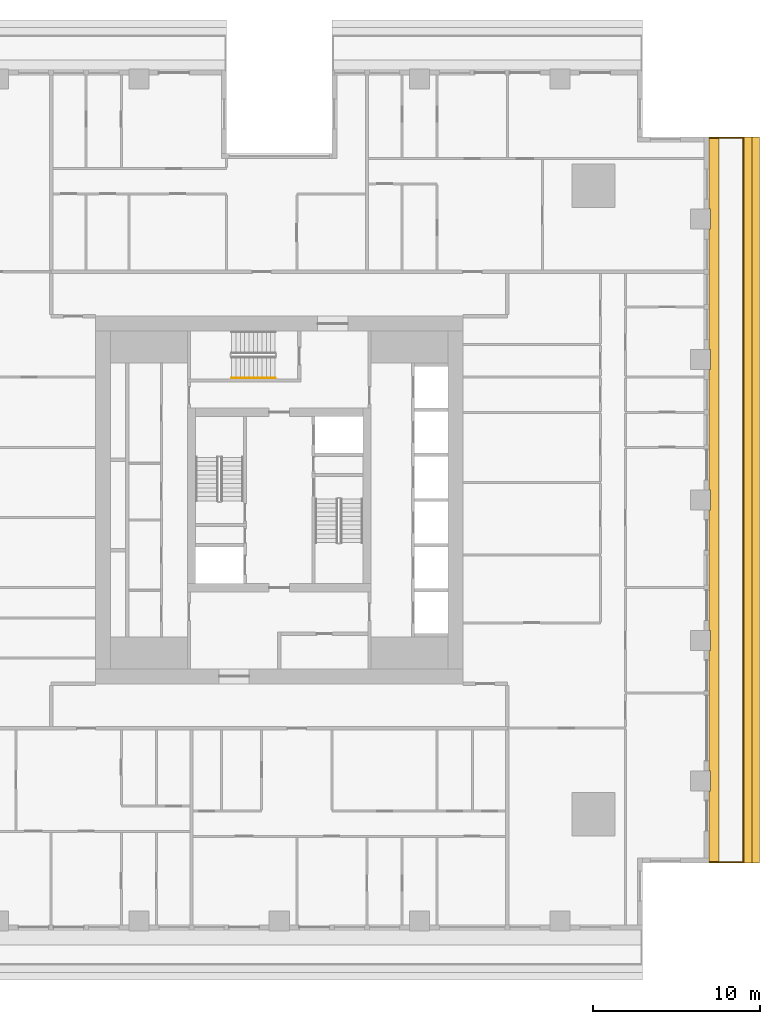
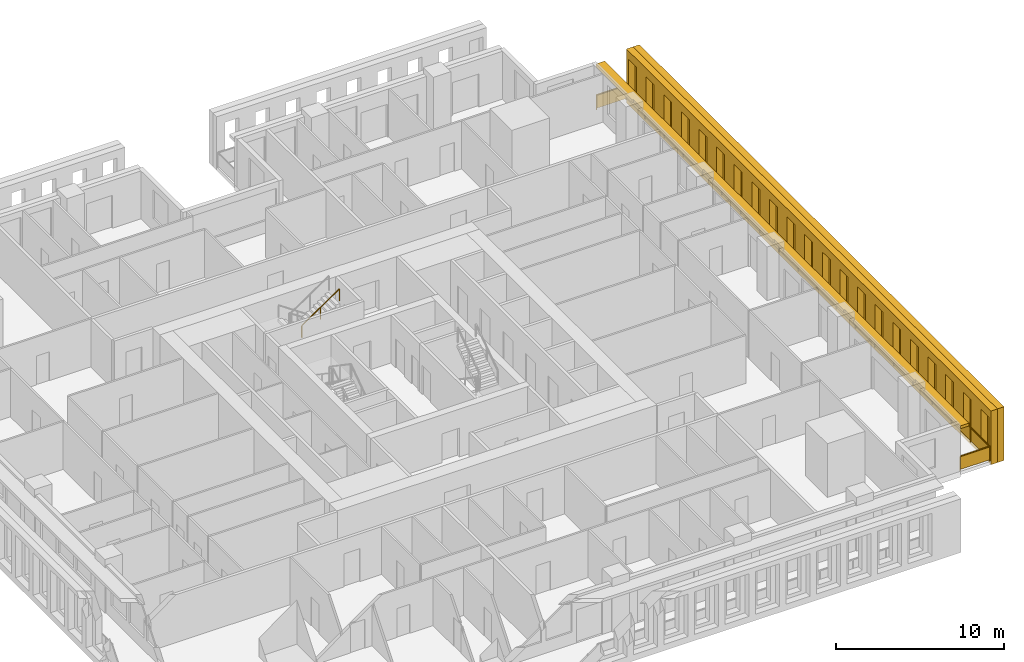
# One storey, part 14 of 16: 3 shading devices, 2 railings.
"""IFC4 building model written with IfcOpenShell, lengths in metres."""

from ifc_helpers import new_model, si_unit, direction, frame, origin, origin_2d, place, context, subcontext, project, spatial, polyline, rectangle, outline, extrude, material, layer, layer_set, type_object, element, save


model = new_model("IFC4")

# Units and contexts
model_context = context("Model", 3, precision=1e-05, world=origin(), true_north=direction((0.0, 1.0)))
body_context = subcontext(model_context, "Body", "Model", "MODEL_VIEW")
ifc_project = project(units=[si_unit("LENGTHUNIT", "METRE"), si_unit("AREAUNIT", "SQUARE_METRE"), si_unit("VOLUMEUNIT", "CUBIC_METRE"), si_unit("PLANEANGLEUNIT", "RADIAN"), si_unit("MASSUNIT", "GRAM", prefix="KILO")], contexts=[model_context])

# Site, building, storey
site_placement = place(None, origin())
site = spatial("IfcSite", under=ifc_project, at=site_placement, CompositionType="ELEMENT")
building_placement = place(site_placement, origin())
building = spatial("IfcBuilding", under=site, at=building_placement, Name="Khepri Terraces", CompositionType="ELEMENT")
storey_placement = place(building_placement, frame((0.0, 0.0, 137.699951171875)))
storey = spatial("IfcBuildingStorey", under=building, at=storey_placement, Name="L32", CompositionType="ELEMENT", Elevation=137.699951171875)

# Railings
ifc_material_1 = material(Name="Stainless steel grade 316", Category="steel")
railing_type_1 = type_object("IfcRailingType", Name="GRD-BAL-1100", PredefinedType="GUARDRAIL", material=ifc_material_1)
railing_1_placement = place(storey_placement, frame((25.719970703125, -21.669921875, 0.0)))
element("IfcRailing", 1, at=railing_1_placement, inside=storey, type_object=railing_type_1, Name="Balcony guard L32 E", PredefinedType="GUARDRAIL", context=body_context, shape_type="SweptSolid", body=[
    extrude(rectangle(XDim=0.050048828125, YDim=0.06005859375, at=origin_2d()), frame((0.0, 0.0, 1.070068359375), z_axis=(1.0, 0.0, 0.0), x_axis=(0.0, 1.0, 0.0)), (0.0, 0.0, 1.0), 2.050048828125),
    extrude(rectangle(XDim=2.0, YDim=0.011962890625, at=origin_2d()), frame((1.02490234375, 0.0, 0.10009765625), z_axis=(0.0, 0.0, 1.0), x_axis=(1.0, 0.0, 0.0)), (0.0, 0.0, 1.0), 0.93994140625),
    extrude(rectangle(XDim=0.050048828125, YDim=0.06005859375, at=origin_2d()), frame((2.050048828125, 0.0, 1.070068359375), z_axis=(0.0, 1.0, 0.0), x_axis=(-1.0, 0.0, 0.0)), (0.0, 0.0, 1.0), 43.33984375),
    extrude(rectangle(XDim=2.23095703125, YDim=0.011962890625, at=origin_2d()), frame((2.050048828125, 1.140625, 0.10009765625), z_axis=(0.0, 0.0, 1.0), x_axis=(0.0, 1.0, 0.0)), (0.0, 0.0, 1.0), 0.93994140625),
    extrude(rectangle(XDim=2.23095703125, YDim=0.011962890625, at=origin_2d()), frame((2.050048828125, 3.421630859375, 0.10009765625), z_axis=(0.0, 0.0, 1.0), x_axis=(0.0, 1.0, 0.0)), (0.0, 0.0, 1.0), 0.93994140625),
    extrude(rectangle(XDim=2.23095703125, YDim=0.011962890625, at=origin_2d()), frame((2.050048828125, 5.70263671875, 0.10009765625), z_axis=(0.0, 0.0, 1.0), x_axis=(0.0, 1.0, 0.0)), (0.0, 0.0, 1.0), 0.93994140625),
    extrude(rectangle(XDim=2.23095703125, YDim=0.011962890625, at=origin_2d()), frame((2.050048828125, 7.983642578125, 0.10009765625), z_axis=(0.0, 0.0, 1.0), x_axis=(0.0, 1.0, 0.0)), (0.0, 0.0, 1.0), 0.93994140625),
    extrude(rectangle(XDim=2.23095703125, YDim=0.011962890625, at=origin_2d()), frame((2.050048828125, 10.2646484375, 0.10009765625), z_axis=(0.0, 0.0, 1.0), x_axis=(0.0, 1.0, 0.0)), (0.0, 0.0, 1.0), 0.93994140625),
    extrude(rectangle(XDim=2.23095703125, YDim=0.011962890625, at=origin_2d()), frame((2.050048828125, 12.545654296875, 0.10009765625), z_axis=(0.0, 0.0, 1.0), x_axis=(0.0, 1.0, 0.0)), (0.0, 0.0, 1.0), 0.93994140625),
    extrude(rectangle(XDim=2.23095703125, YDim=0.011962890625, at=origin_2d()), frame((2.050048828125, 14.826904296875, 0.10009765625), z_axis=(0.0, 0.0, 1.0), x_axis=(0.0, 1.0, 0.0)), (0.0, 0.0, 1.0), 0.93994140625),
    extrude(rectangle(XDim=2.23095703125, YDim=0.011962890625, at=origin_2d()), frame((2.050048828125, 17.10791015625, 0.10009765625), z_axis=(0.0, 0.0, 1.0), x_axis=(0.0, 1.0, 0.0)), (0.0, 0.0, 1.0), 0.93994140625),
    extrude(rectangle(XDim=2.23095703125, YDim=0.011962890625, at=origin_2d()), frame((2.050048828125, 19.388916015625, 0.10009765625), z_axis=(0.0, 0.0, 1.0), x_axis=(0.0, 1.0, 0.0)), (0.0, 0.0, 1.0), 0.93994140625),
    extrude(rectangle(XDim=2.23095703125, YDim=0.011962890625, at=origin_2d()), frame((2.050048828125, 21.669921875, 0.10009765625), z_axis=(0.0, 0.0, 1.0), x_axis=(0.0, 1.0, 0.0)), (0.0, 0.0, 1.0), 0.93994140625),
    extrude(rectangle(XDim=2.23095703125, YDim=0.011962890625, at=origin_2d()), frame((2.050048828125, 23.950927734375, 0.10009765625), z_axis=(0.0, 0.0, 1.0), x_axis=(0.0, 1.0, 0.0)), (0.0, 0.0, 1.0), 0.93994140625),
    extrude(rectangle(XDim=2.23095703125, YDim=0.011962890625, at=origin_2d()), frame((2.050048828125, 26.23193359375, 0.10009765625), z_axis=(0.0, 0.0, 1.0), x_axis=(0.0, 1.0, 0.0)), (0.0, 0.0, 1.0), 0.93994140625),
    extrude(rectangle(XDim=2.23095703125, YDim=0.011962890625, at=origin_2d()), frame((2.050048828125, 28.512939453125, 0.10009765625), z_axis=(0.0, 0.0, 1.0), x_axis=(0.0, 1.0, 0.0)), (0.0, 0.0, 1.0), 0.93994140625),
    extrude(rectangle(XDim=2.23095703125, YDim=0.011962890625, at=origin_2d()), frame((2.050048828125, 30.794189453125, 0.10009765625), z_axis=(0.0, 0.0, 1.0), x_axis=(0.0, 1.0, 0.0)), (0.0, 0.0, 1.0), 0.93994140625),
    extrude(rectangle(XDim=2.23095703125, YDim=0.011962890625, at=origin_2d()), frame((2.050048828125, 33.0751953125, 0.10009765625), z_axis=(0.0, 0.0, 1.0), x_axis=(0.0, 1.0, 0.0)), (0.0, 0.0, 1.0), 0.93994140625),
    extrude(rectangle(XDim=2.23095703125, YDim=0.011962890625, at=origin_2d()), frame((2.050048828125, 35.356201171875, 0.10009765625), z_axis=(0.0, 0.0, 1.0), x_axis=(0.0, 1.0, 0.0)), (0.0, 0.0, 1.0), 0.93994140625),
    extrude(rectangle(XDim=2.23095703125, YDim=0.011962890625, at=origin_2d()), frame((2.050048828125, 37.63720703125, 0.10009765625), z_axis=(0.0, 0.0, 1.0), x_axis=(0.0, 1.0, 0.0)), (0.0, 0.0, 1.0), 0.93994140625),
    extrude(rectangle(XDim=2.23095703125, YDim=0.011962890625, at=origin_2d()), frame((2.050048828125, 39.918212890625, 0.10009765625), z_axis=(0.0, 0.0, 1.0), x_axis=(0.0, 1.0, 0.0)), (0.0, 0.0, 1.0), 0.93994140625),
    extrude(rectangle(XDim=2.23095703125, YDim=0.011962890625, at=origin_2d()), frame((2.050048828125, 42.19921875, 0.10009765625), z_axis=(0.0, 0.0, 1.0), x_axis=(0.0, 1.0, 0.0)), (0.0, 0.0, 1.0), 0.93994140625),
    extrude(rectangle(XDim=0.050048828125, YDim=0.06005859375, at=origin_2d()), frame((2.050048828125, 43.33984375, 1.070068359375), z_axis=(-1.0, 0.0, 0.0), x_axis=(0.0, -1.0, 0.0)), (0.0, 0.0, 1.0), 2.050048828125),
    extrude(rectangle(XDim=2.0, YDim=0.011962890625, at=origin_2d()), frame((1.02490234375, 43.33984375, 0.10009765625), z_axis=(0.0, 0.0, 1.0), x_axis=(-1.0, 0.0, 0.0)), (0.0, 0.0, 1.0), 0.93994140625),
    extrude(rectangle(XDim=0.050048828125, YDim=0.050048828125, at=origin_2d()), origin(), (0.0, 0.0, 1.0), 1.0400390625),
    extrude(rectangle(XDim=0.050048828125, YDim=0.050048828125, at=origin_2d()), frame((2.050048828125, 0.0, 0.0)), (0.0, 0.0, 1.0), 1.0400390625),
    extrude(rectangle(XDim=0.050048828125, YDim=0.050048828125, at=origin_2d()), frame((2.050048828125, 2.281005859375, 0.0)), (0.0, 0.0, 1.0), 1.0400390625),
    extrude(rectangle(XDim=0.050048828125, YDim=0.050048828125, at=origin_2d()), frame((2.050048828125, 4.56201171875, 0.0)), (0.0, 0.0, 1.0), 1.0400390625),
    extrude(rectangle(XDim=0.050048828125, YDim=0.050048828125, at=origin_2d()), frame((2.050048828125, 6.843017578125, 0.0)), (0.0, 0.0, 1.0), 1.0400390625),
    extrude(rectangle(XDim=0.050048828125, YDim=0.050048828125, at=origin_2d()), frame((2.050048828125, 9.124267578125, 0.0)), (0.0, 0.0, 1.0), 1.0400390625),
    extrude(rectangle(XDim=0.050048828125, YDim=0.050048828125, at=origin_2d()), frame((2.050048828125, 11.4052734375, 0.0)), (0.0, 0.0, 1.0), 1.0400390625),
    extrude(rectangle(XDim=0.050048828125, YDim=0.050048828125, at=origin_2d()), frame((2.050048828125, 13.686279296875, 0.0)), (0.0, 0.0, 1.0), 1.0400390625),
    extrude(rectangle(XDim=0.050048828125, YDim=0.050048828125, at=origin_2d()), frame((2.050048828125, 15.96728515625, 0.0)), (0.0, 0.0, 1.0), 1.0400390625),
    extrude(rectangle(XDim=0.050048828125, YDim=0.050048828125, at=origin_2d()), frame((2.050048828125, 18.248291015625, 0.0)), (0.0, 0.0, 1.0), 1.0400390625),
    extrude(rectangle(XDim=0.050048828125, YDim=0.050048828125, at=origin_2d()), frame((2.050048828125, 20.529296875, 0.0)), (0.0, 0.0, 1.0), 1.0400390625),
    extrude(rectangle(XDim=0.050048828125, YDim=0.050048828125, at=origin_2d()), frame((2.050048828125, 22.810546875, 0.0)), (0.0, 0.0, 1.0), 1.0400390625),
    extrude(rectangle(XDim=0.050048828125, YDim=0.050048828125, at=origin_2d()), frame((2.050048828125, 25.091552734375, 0.0)), (0.0, 0.0, 1.0), 1.0400390625),
    extrude(rectangle(XDim=0.050048828125, YDim=0.050048828125, at=origin_2d()), frame((2.050048828125, 27.37255859375, 0.0)), (0.0, 0.0, 1.0), 1.0400390625),
    extrude(rectangle(XDim=0.050048828125, YDim=0.050048828125, at=origin_2d()), frame((2.050048828125, 29.653564453125, 0.0)), (0.0, 0.0, 1.0), 1.0400390625),
    extrude(rectangle(XDim=0.050048828125, YDim=0.050048828125, at=origin_2d()), frame((2.050048828125, 31.9345703125, 0.0)), (0.0, 0.0, 1.0), 1.0400390625),
    extrude(rectangle(XDim=0.050048828125, YDim=0.050048828125, at=origin_2d()), frame((2.050048828125, 34.215576171875, 0.0)), (0.0, 0.0, 1.0), 1.0400390625),
    extrude(rectangle(XDim=0.050048828125, YDim=0.050048828125, at=origin_2d()), frame((2.050048828125, 36.496826171875, 0.0)), (0.0, 0.0, 1.0), 1.0400390625),
    extrude(rectangle(XDim=0.050048828125, YDim=0.050048828125, at=origin_2d()), frame((2.050048828125, 38.77783203125, 0.0)), (0.0, 0.0, 1.0), 1.0400390625),
    extrude(rectangle(XDim=0.050048828125, YDim=0.050048828125, at=origin_2d()), frame((2.050048828125, 41.058837890625, 0.0)), (0.0, 0.0, 1.0), 1.0400390625),
    extrude(rectangle(XDim=0.050048828125, YDim=0.050048828125, at=origin_2d()), frame((2.050048828125, 43.33984375, 0.0)), (0.0, 0.0, 1.0), 1.0400390625),
    extrude(rectangle(XDim=0.050048828125, YDim=0.050048828125, at=origin_2d()), frame((0.0, 43.33984375, 0.0)), (0.0, 0.0, 1.0), 1.0400390625),
])
ifc_material_2 = material(Name="Stainless steel 316", Category="steel")
railing_type_2 = type_object("IfcRailingType", Name="RL-CORE-HANDRAIL", PredefinedType="HANDRAIL", material=ifc_material_2)
railing_2_placement = place(storey_placement, frame((-2.85009765625, 7.300048828125, 2.12744140625)))
element("IfcRailing", 2, at=railing_2_placement, inside=storey, type_object=railing_type_2, Name="L32 ST-3 stair handrail 2", PredefinedType="HANDRAIL", context=body_context, shape_type="SweptSolid", body=[
    extrude(rectangle(XDim=0.050048828125, YDim=0.050048828125, at=origin_2d()), frame((0.0, 0.0, 0.875), z_axis=(0.826240473404, 0.0, 0.563317565952), x_axis=(0.0, 1.0, 0.0)), (0.0, 0.0, 1.0), 3.14697265625),
    extrude(rectangle(XDim=0.050048828125, YDim=0.050048828125, at=origin_2d()), origin(), (0.0, 0.0, 1.0), 0.849853515625),
    extrude(rectangle(XDim=0.050048828125, YDim=0.050048828125, at=origin_2d()), frame((1.300048828125, 0.0, 0.88623046875)), (0.0, 0.0, 1.0), 0.849853515625),
    extrude(rectangle(XDim=0.050048828125, YDim=0.050048828125, at=origin_2d()), frame((2.60009765625, 0.0, 1.772705078125)), (0.0, 0.0, 1.0), 0.849853515625),
])

# Shading devices
ifc_material_3 = material(Name="Precast concrete C50/60 warm stone", Category="masonry")
shading_device_type_1 = type_object("IfcShadingDeviceType", Name="SCR-CELL-INNER-450", PredefinedType="USERDEFINED", material=ifc_material_3)
shading_device_1_placement = place(storey_placement, frame((27.820068359375, -21.719970703125, -0.25), z_axis=(1.0, 0.0, 0.0), x_axis=(0.0, 1.0, 0.0)))
element("IfcShadingDevice", 3, at=shading_device_1_placement, inside=storey, type_object=shading_device_type_1, Name="Cell screen L32 E in", ObjectType="SCREEN", PredefinedType="USERDEFINED", context=body_context, shape_type="SweptSolid", body=[
    extrude(outline(polyline([(0.0, 0.0), (43.43994140625, 0.0), (43.43994140625, 3.89990234375), (0.0, 3.89990234375), (0.0, 0.0)]), holes=[polyline([(0.24755859375, 0.699951171875), (1.1923828125, 0.699951171875), (1.1923828125, 3.300048828125), (0.24755859375, 3.300048828125), (0.24755859375, 0.699951171875)]), polyline([(2.347412109375, 0.699951171875), (3.29248046875, 0.699951171875), (3.29248046875, 3.300048828125), (2.347412109375, 3.300048828125), (2.347412109375, 0.699951171875)]), polyline([(4.447509765625, 0.699951171875), (5.392578125, 0.699951171875), (5.392578125, 3.300048828125), (4.447509765625, 3.300048828125), (4.447509765625, 0.699951171875)]), polyline([(6.547607421875, 0.699951171875), (7.492431640625, 0.699951171875), (7.492431640625, 3.300048828125), (6.547607421875, 3.300048828125), (6.547607421875, 0.699951171875)]), polyline([(8.6474609375, 0.699951171875), (9.592529296875, 0.699951171875), (9.592529296875, 3.300048828125), (8.6474609375, 3.300048828125), (8.6474609375, 0.699951171875)]), polyline([(10.74755859375, 0.699951171875), (11.6923828125, 0.699951171875), (11.6923828125, 3.300048828125), (10.74755859375, 3.300048828125), (10.74755859375, 0.699951171875)]), polyline([(12.847412109375, 0.699951171875), (13.79248046875, 0.699951171875), (13.79248046875, 3.300048828125), (12.847412109375, 3.300048828125), (12.847412109375, 0.699951171875)]), polyline([(14.947509765625, 0.699951171875), (15.892578125, 0.699951171875), (15.892578125, 3.300048828125), (14.947509765625, 3.300048828125), (14.947509765625, 0.699951171875)]), polyline([(17.047607421875, 0.699951171875), (17.992431640625, 0.699951171875), (17.992431640625, 3.300048828125), (17.047607421875, 3.300048828125), (17.047607421875, 0.699951171875)]), polyline([(19.1474609375, 0.699951171875), (20.092529296875, 0.699951171875), (20.092529296875, 3.300048828125), (19.1474609375, 3.300048828125), (19.1474609375, 0.699951171875)]), polyline([(21.24755859375, 0.699951171875), (22.1923828125, 0.699951171875), (22.1923828125, 3.300048828125), (21.24755859375, 3.300048828125), (21.24755859375, 0.699951171875)]), polyline([(23.347412109375, 0.699951171875), (24.29248046875, 0.699951171875), (24.29248046875, 3.300048828125), (23.347412109375, 3.300048828125), (23.347412109375, 0.699951171875)]), polyline([(25.447509765625, 0.699951171875), (26.392578125, 0.699951171875), (26.392578125, 3.300048828125), (25.447509765625, 3.300048828125), (25.447509765625, 0.699951171875)]), polyline([(27.547607421875, 0.699951171875), (28.492431640625, 0.699951171875), (28.492431640625, 3.300048828125), (27.547607421875, 3.300048828125), (27.547607421875, 0.699951171875)]), polyline([(29.6474609375, 0.699951171875), (30.592529296875, 0.699951171875), (30.592529296875, 3.300048828125), (29.6474609375, 3.300048828125), (29.6474609375, 0.699951171875)]), polyline([(31.74755859375, 0.699951171875), (32.6923828125, 0.699951171875), (32.6923828125, 3.300048828125), (31.74755859375, 3.300048828125), (31.74755859375, 0.699951171875)]), polyline([(33.847412109375, 0.699951171875), (34.79248046875, 0.699951171875), (34.79248046875, 3.300048828125), (33.847412109375, 3.300048828125), (33.847412109375, 0.699951171875)]), polyline([(35.947509765625, 0.699951171875), (36.892578125, 0.699951171875), (36.892578125, 3.300048828125), (35.947509765625, 3.300048828125), (35.947509765625, 0.699951171875)]), polyline([(38.047607421875, 0.699951171875), (38.992431640625, 0.699951171875), (38.992431640625, 3.300048828125), (38.047607421875, 3.300048828125), (38.047607421875, 0.699951171875)]), polyline([(40.1474609375, 0.699951171875), (41.092529296875, 0.699951171875), (41.092529296875, 3.300048828125), (40.1474609375, 3.300048828125), (40.1474609375, 0.699951171875)]), polyline([(42.24755859375, 0.699951171875), (43.1923828125, 0.699951171875), (43.1923828125, 3.300048828125), (42.24755859375, 3.300048828125), (42.24755859375, 0.699951171875)])]), origin(), (0.0, 0.0, 1.0), 0.449951171875),
])
shading_device_type_2 = type_object("IfcShadingDeviceType", Name="SCR-CELL-OUTER-450", PredefinedType="USERDEFINED", material=ifc_material_3)
shading_device_2_placement = place(storey_placement, frame((28.27001953125, -21.719970703125, -0.25), z_axis=(1.0, 0.0, 0.0), x_axis=(0.0, 1.0, 0.0)))
element("IfcShadingDevice", 4, at=shading_device_2_placement, inside=storey, type_object=shading_device_type_2, Name="Cell screen L32 E out", ObjectType="SCREEN", PredefinedType="USERDEFINED", context=body_context, shape_type="SweptSolid", body=[
    extrude(outline(polyline([(0.0, 0.0), (43.43994140625, 0.0), (43.43994140625, 3.89990234375), (0.0, 3.89990234375), (0.0, 0.0)]), holes=[polyline([(1.99755859375, 0.449951171875), (3.642578125, 0.449951171875), (3.642578125, 3.550048828125), (1.99755859375, 3.550048828125), (1.99755859375, 0.449951171875)]), polyline([(4.097412109375, 0.449951171875), (5.742431640625, 0.449951171875), (5.742431640625, 3.550048828125), (4.097412109375, 3.550048828125), (4.097412109375, 0.449951171875)]), polyline([(6.197509765625, 0.449951171875), (7.842529296875, 0.449951171875), (7.842529296875, 3.550048828125), (6.197509765625, 3.550048828125), (6.197509765625, 0.449951171875)]), polyline([(8.297607421875, 0.449951171875), (9.9423828125, 0.449951171875), (9.9423828125, 3.550048828125), (8.297607421875, 3.550048828125), (8.297607421875, 0.449951171875)]), polyline([(10.3974609375, 0.449951171875), (12.04248046875, 0.449951171875), (12.04248046875, 3.550048828125), (10.3974609375, 3.550048828125), (10.3974609375, 0.449951171875)]), polyline([(12.49755859375, 0.449951171875), (14.142578125, 0.449951171875), (14.142578125, 3.550048828125), (12.49755859375, 3.550048828125), (12.49755859375, 0.449951171875)]), polyline([(14.597412109375, 0.449951171875), (16.242431640625, 0.449951171875), (16.242431640625, 3.550048828125), (14.597412109375, 3.550048828125), (14.597412109375, 0.449951171875)]), polyline([(16.697509765625, 0.449951171875), (18.342529296875, 0.449951171875), (18.342529296875, 3.550048828125), (16.697509765625, 3.550048828125), (16.697509765625, 0.449951171875)]), polyline([(18.797607421875, 0.449951171875), (20.4423828125, 0.449951171875), (20.4423828125, 3.550048828125), (18.797607421875, 3.550048828125), (18.797607421875, 0.449951171875)]), polyline([(20.8974609375, 0.449951171875), (22.54248046875, 0.449951171875), (22.54248046875, 3.550048828125), (20.8974609375, 3.550048828125), (20.8974609375, 0.449951171875)]), polyline([(22.99755859375, 0.449951171875), (24.642578125, 0.449951171875), (24.642578125, 3.550048828125), (22.99755859375, 3.550048828125), (22.99755859375, 0.449951171875)]), polyline([(25.097412109375, 0.449951171875), (26.742431640625, 0.449951171875), (26.742431640625, 3.550048828125), (25.097412109375, 3.550048828125), (25.097412109375, 0.449951171875)]), polyline([(27.197509765625, 0.449951171875), (28.842529296875, 0.449951171875), (28.842529296875, 3.550048828125), (27.197509765625, 3.550048828125), (27.197509765625, 0.449951171875)]), polyline([(29.297607421875, 0.449951171875), (30.9423828125, 0.449951171875), (30.9423828125, 3.550048828125), (29.297607421875, 3.550048828125), (29.297607421875, 0.449951171875)]), polyline([(31.3974609375, 0.449951171875), (33.04248046875, 0.449951171875), (33.04248046875, 3.550048828125), (31.3974609375, 3.550048828125), (31.3974609375, 0.449951171875)]), polyline([(33.49755859375, 0.449951171875), (35.142578125, 0.449951171875), (35.142578125, 3.550048828125), (33.49755859375, 3.550048828125), (33.49755859375, 0.449951171875)]), polyline([(35.597412109375, 0.449951171875), (37.242431640625, 0.449951171875), (37.242431640625, 3.550048828125), (35.597412109375, 3.550048828125), (35.597412109375, 0.449951171875)]), polyline([(37.697509765625, 0.449951171875), (39.342529296875, 0.449951171875), (39.342529296875, 3.550048828125), (37.697509765625, 3.550048828125), (37.697509765625, 0.449951171875)]), polyline([(39.797607421875, 0.449951171875), (41.4423828125, 0.449951171875), (41.4423828125, 3.550048828125), (39.797607421875, 3.550048828125), (39.797607421875, 0.449951171875)])]), origin(), (0.0, 0.0, 1.0), 0.449951171875),
])
ifc_layer = layer(ifc_material_3, 0.199951171875, Name="Precast concrete C50/60 warm stone", Category="masonry")
ifc_layer_set = layer_set([ifc_layer], Name="Precast concrete C50/60 warm stone")
shading_device_type_3 = type_object("IfcShadingDeviceType", Name="SSH-BAND-STONE-200-N", PredefinedType="USERDEFINED", material=ifc_layer_set)
shading_device_3_placement = place(storey_placement, frame((0.0, 0.0, 3.10009765625)))
element("IfcShadingDevice", 5, at=shading_device_3_placement, inside=storey, type_object=shading_device_type_3, Name="Sunshade band L32 E", ObjectType="SUNSHADE", PredefinedType="USERDEFINED", context=body_context, shape_type="SweptSolid", body=[
    extrude(outline(polyline([(25.719970703125, -17.39990234375), (25.719970703125, -21.719970703125), (26.320068359375, -21.719970703125), (26.320068359375, 21.719970703125), (25.719970703125, 21.719970703125), (25.719970703125, 17.39990234375), (25.800048828125, 17.39990234375), (25.800048828125, 16.199951171875), (25.719970703125, 16.199951171875), (25.719970703125, 9.0), (25.800048828125, 9.0), (25.800048828125, 7.800048828125), (25.719970703125, 7.800048828125), (25.719970703125, 0.60009765625), (25.800048828125, 0.60009765625), (25.800048828125, -0.60009765625), (25.719970703125, -0.60009765625), (25.719970703125, -7.800048828125), (25.800048828125, -7.800048828125), (25.800048828125, -9.0), (25.719970703125, -9.0), (25.719970703125, -16.199951171875), (25.800048828125, -16.199951171875), (25.800048828125, -17.39990234375), (25.719970703125, -17.39990234375)])), origin(), (0.0, 0.0, 1.0), 0.199951171875),
])

save(model, "model.ifc")
